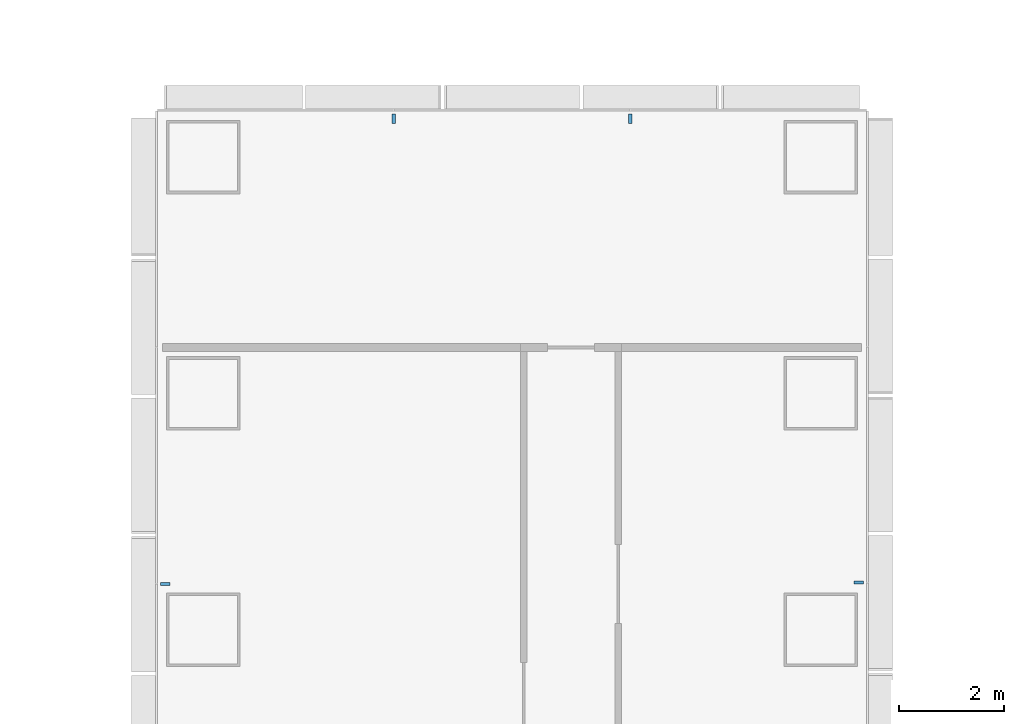
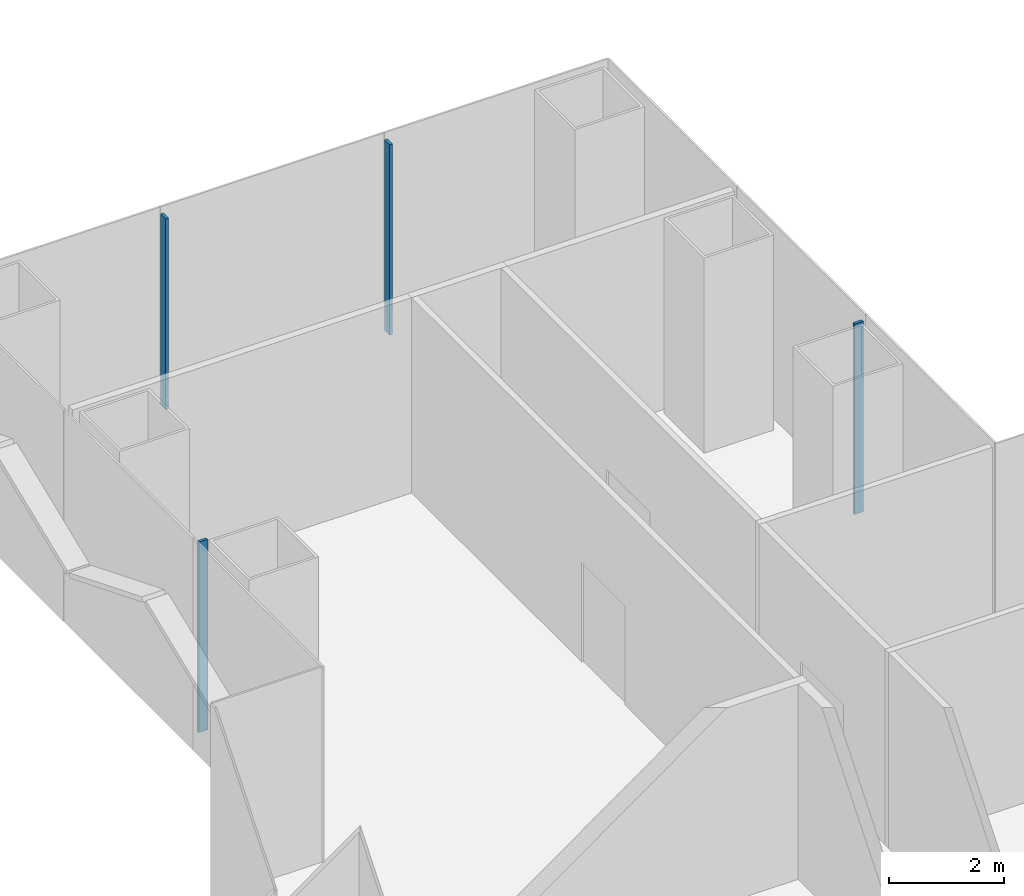
# One storey, part 6 of 22: 4 members, 3 elements without a shape of their own.
"""IFC4 building model written with IfcOpenShell, lengths in metres."""

from ifc_helpers import new_model, si_unit, direction, frame, origin, origin_2d, place, context, subcontext, project, spatial, rectangle, extrude, material, layer, layer_set, material_profile, profile_set, type_object, element, aggregate, save


model = new_model("IFC4")

# Units and contexts
model_context = context("Model", 3, precision=1e-05, world=origin(), true_north=direction((0.0, 1.0)))
body_context = subcontext(model_context, "Body", "Model", "MODEL_VIEW")
ifc_project = project(units=[si_unit("LENGTHUNIT", "METRE"), si_unit("AREAUNIT", "SQUARE_METRE"), si_unit("VOLUMEUNIT", "CUBIC_METRE"), si_unit("PLANEANGLEUNIT", "RADIAN"), si_unit("MASSUNIT", "GRAM", prefix="KILO")], contexts=[model_context])

# Site, building, storey
site_placement = place(None, origin())
site = spatial("IfcSite", under=ifc_project, at=site_placement, CompositionType="ELEMENT")
building_placement = place(site_placement, origin())
building = spatial("IfcBuilding", under=site, at=building_placement, Name="Shamsa Quay Exchange Towers", CompositionType="ELEMENT")
storey_placement = place(building_placement, frame((0.0, 0.0, 33.0)))
storey = spatial("IfcBuildingStorey", under=building, at=storey_placement, Name="L06", CompositionType="ELEMENT", Elevation=33.0)

# Curtain wall, member
ifc_material = material(Name="Aluminium EN AW-6063 T6, black anodised", Category="aluminium")
ifc_layer = layer(ifc_material, 0.280029296875)
ifc_layer_set = layer_set([ifc_layer], Name="CW-1 UNITISED VISION GLASS")
curtain_wall_type = type_object("IfcCurtainWallType", Name="CW-1 UNITISED VISION GLASS", PredefinedType="NOTDEFINED", material=ifc_layer_set)
curtain_wall_1_placement = place(storey_placement, origin())
curtain_wall_1 = element("IfcCurtainWall", 1, at=curtain_wall_1_placement, inside=storey, type_object=curtain_wall_type, Name="CW1 T1-FLK-V+E L06", PredefinedType="NOTDEFINED")
ifc_material_profile = material_profile(ifc_material, rectangle(XDim=0.179931640625, YDim=0.06005859375, at=origin_2d()), Name="MU60x180")
ifc_profile_set = profile_set([ifc_material_profile], Name="Aluminium EN AW-6063 T6, black anodised")
member_type = type_object("IfcMemberType", Name="CW1 MULLION 60x180", PredefinedType="MULLION", material=ifc_profile_set)
member_1_placement = place(storey_placement, frame((-27.14990234375, 15.775390625, 0.0), z_axis=(0.0, 0.0, 1.0), x_axis=(-1.0, 0.0, 0.0)))
member_1 = element("IfcMember", 2, at=member_1_placement, type_object=member_type, Name="CW1 mullion", PredefinedType="MULLION", context=body_context, shape_type="SweptSolid", body=[
    extrude(rectangle(XDim=0.179931640625, YDim=0.06005859375, at=origin_2d()), origin(), (0.0, 0.0, 1.0), 4.050048828125),
])
aggregate(curtain_wall_1, [member_1])

# Curtain wall, members
curtain_wall_2_placement = place(storey_placement, origin())
curtain_wall_2 = element("IfcCurtainWall", 3, at=curtain_wall_2_placement, inside=storey, type_object=curtain_wall_type, Name="CW1 T1-END-V+ L06", PredefinedType="NOTDEFINED")
member_2_placement = place(storey_placement, frame((-31.5, 24.60009765625, 0.0), z_axis=(0.0, 0.0, 1.0), x_axis=(0.0, -1.0, 0.0)))
member_2 = element("IfcMember", 4, at=member_2_placement, type_object=member_type, Name="CW1 mullion", PredefinedType="MULLION", context=body_context, shape_type="SweptSolid", body=[
    extrude(rectangle(XDim=0.179931640625, YDim=0.06005859375, at=origin_2d()), origin(), (0.0, 0.0, 1.0), 4.050048828125),
])
member_3_placement = place(storey_placement, frame((-36.0, 24.60009765625, 0.0), z_axis=(0.0, 0.0, 1.0), x_axis=(0.0, -1.0, 0.0)))
member_3 = element("IfcMember", 5, at=member_3_placement, type_object=member_type, Name="CW1 mullion", PredefinedType="MULLION", context=body_context, shape_type="SweptSolid", body=[
    extrude(rectangle(XDim=0.179931640625, YDim=0.06005859375, at=origin_2d()), origin(), (0.0, 0.0, 1.0), 4.050048828125),
])
aggregate(curtain_wall_2, [member_2, member_3])

# Curtain wall, member
curtain_wall_3_placement = place(storey_placement, origin())
curtain_wall_3 = element("IfcCurtainWall", 6, at=curtain_wall_3_placement, inside=storey, type_object=curtain_wall_type, Name="CW1 T1-FLK-V+W L06", PredefinedType="NOTDEFINED")
member_4_placement = place(storey_placement, frame((-40.35009765625, 15.75, 0.0)))
member_4 = element("IfcMember", 7, at=member_4_placement, type_object=member_type, Name="CW1 mullion", PredefinedType="MULLION", context=body_context, shape_type="SweptSolid", body=[
    extrude(rectangle(XDim=0.179931640625, YDim=0.06005859375, at=origin_2d()), origin(), (0.0, 0.0, 1.0), 4.050048828125),
])
aggregate(curtain_wall_3, [member_4])

save(model, "model.ifc")
